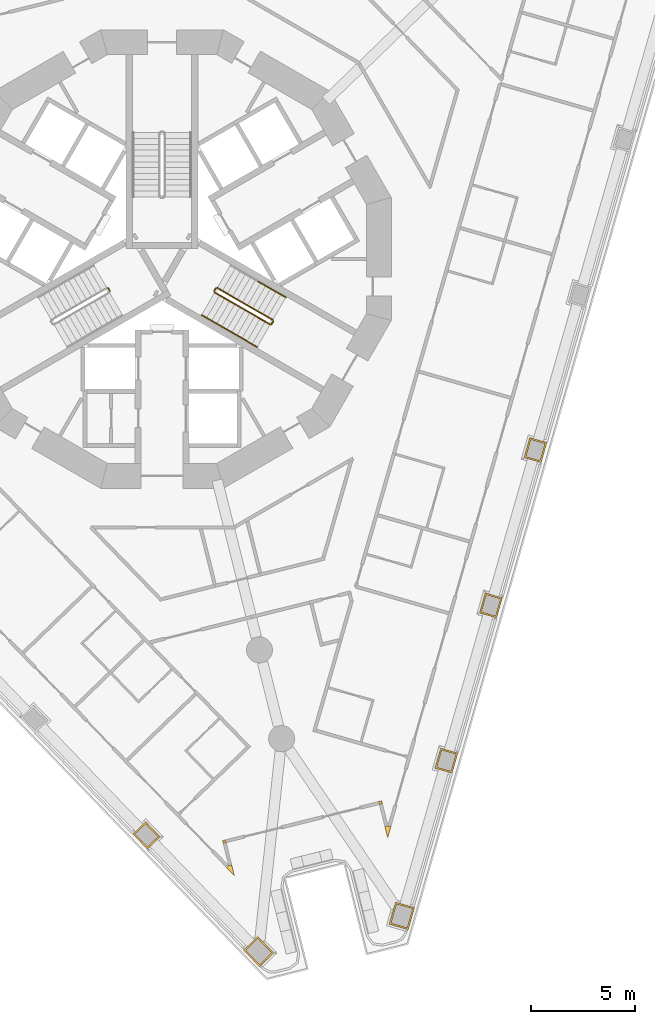
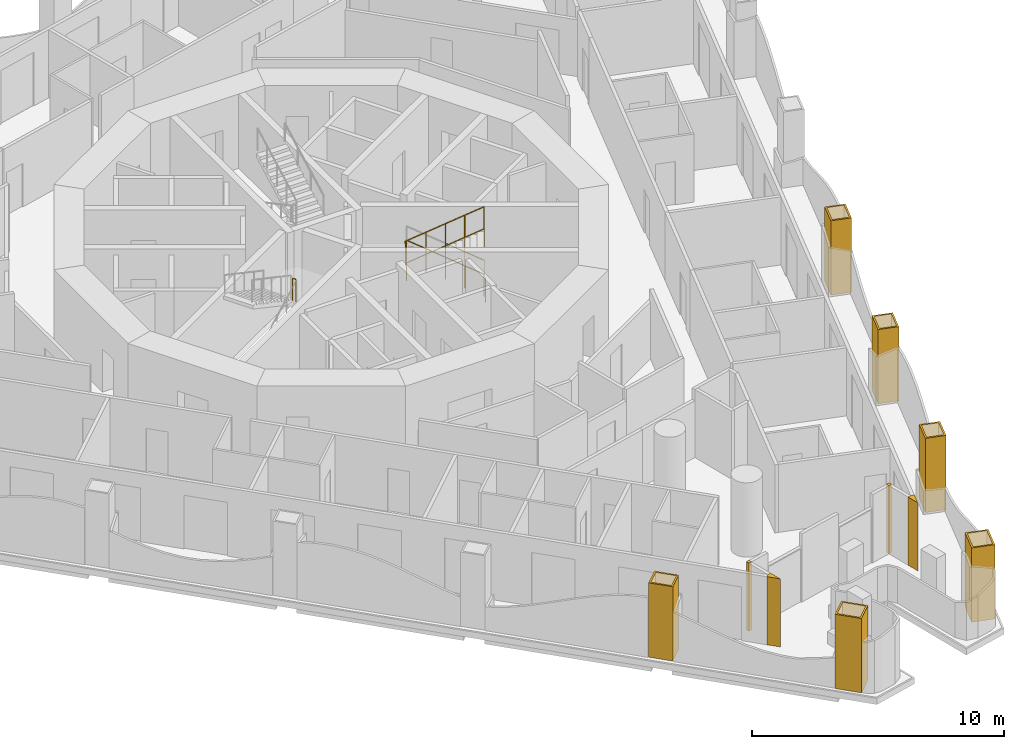
# One storey, part 13 of 18: 10 coverings, 8 railings.
"""IFC4 building model written with IfcOpenShell, lengths in metres."""

from ifc_helpers import new_model, si_unit, direction, frame, origin, origin_2d, place, context, subcontext, project, spatial, polyline, circle, outline, extrude, material, layer, layer_set, type_object, element, save


model = new_model("IFC4")

# Units and contexts
model_context = context("Model", 3, precision=1e-05, world=origin(), true_north=direction((0.0, 1.0)))
body_context = subcontext(model_context, "Body", "Model", "MODEL_VIEW")
ifc_project = project(units=[si_unit("LENGTHUNIT", "METRE"), si_unit("AREAUNIT", "SQUARE_METRE"), si_unit("VOLUMEUNIT", "CUBIC_METRE"), si_unit("PLANEANGLEUNIT", "RADIAN"), si_unit("MASSUNIT", "GRAM", prefix="KILO")], contexts=[model_context])

# Site, building, storey
site_placement = place(None, origin())
site = spatial("IfcSite", under=ifc_project, at=site_placement, CompositionType="ELEMENT")
building_placement = place(site_placement, origin())
building = spatial("IfcBuilding", under=site, at=building_placement, Name="Trine Commons Tower", CompositionType="ELEMENT")
storey_placement = place(building_placement, frame((0.0, 0.0, 94.5)))
storey = spatial("IfcBuildingStorey", under=building, at=storey_placement, Name="L23", CompositionType="ELEMENT", Elevation=94.5)

# Coverings
ifc_material_1 = material(Name="Aluminium-framed insulated wall panel", Category="aluminium")
ifc_layer_1 = layer(ifc_material_1, 0.14990234375)
ifc_layer_set_1 = layer_set([ifc_layer_1], Name="Aluminium-framed insulated wall panel")
covering_type_1 = type_object("IfcCoveringType", Name="Glazing corner post, aluminium", PredefinedType="CLADDING", material=ifc_layer_set_1)
covering_1_placement = place(storey_placement, origin())
element("IfcCovering", 1, at=covering_1_placement, inside=storey, type_object=covering_type_1, Name="Glazing corner post 3-09", PredefinedType="CLADDING", context=body_context, shape_type="SweptSolid", body=[
    extrude(outline(polyline([(90.701416015625, 35.24560546875), (90.836669921875, 34.70263671875), (90.990966796875, 35.24072265625), (90.8466796875, 35.281982421875), (90.701416015625, 35.24560546875)])), origin(), (0.0, 0.0, 1.0), 3.300048828125),
])
covering_2_placement = place(storey_placement, origin())
element("IfcCovering", 2, at=covering_2_placement, inside=storey, type_object=covering_type_1, Name="Glazing corner post 3-10", PredefinedType="CLADDING", context=body_context, shape_type="SweptSolid", body=[
    extrude(outline(polyline([(90.40234375, 36.44482421875), (90.438720703125, 36.29931640625), (90.584228515625, 36.33544921875), (90.5478515625, 36.481201171875), (90.40234375, 36.44482421875)])), origin(), (0.0, 0.0, 1.0), 3.300048828125),
])
covering_3_placement = place(storey_placement, origin())
element("IfcCovering", 3, at=covering_3_placement, inside=storey, type_object=covering_type_1, Name="Glazing corner post 3-11", PredefinedType="CLADDING", context=body_context, shape_type="SweptSolid", body=[
    extrude(outline(polyline([(82.938232421875, 34.42919921875), (83.083740234375, 34.465576171875), (83.047607421875, 34.611083984375), (82.90185546875, 34.57470703125), (82.938232421875, 34.42919921875)])), origin(), (0.0, 0.0, 1.0), 3.300048828125),
])
covering_4_placement = place(storey_placement, origin())
element("IfcCovering", 4, at=covering_4_placement, inside=storey, type_object=covering_type_1, Name="Glazing corner post 3-12", PredefinedType="CLADDING", context=body_context, shape_type="SweptSolid", body=[
    extrude(outline(polyline([(83.093017578125, 33.271484375), (83.48193359375, 32.868896484375), (83.346435546875, 33.412109375), (83.200927734375, 33.375732421875), (83.093017578125, 33.271484375)])), origin(), (0.0, 0.0, 1.0), 3.300048828125),
])
ifc_material_2 = material(Name="Limestone, honed", Category="masonry")
ifc_layer_2 = layer(ifc_material_2, 0.074951171875)
ifc_layer_set_2 = layer_set([ifc_layer_2], Name="Limestone, honed")
covering_type_2 = type_object("IfcCoveringType", Name="Limestone column cladding 75", PredefinedType="CLADDING", material=ifc_layer_set_2)
covering_5_placement = place(storey_placement, origin())
element("IfcCovering", 5, at=covering_5_placement, inside=storey, type_object=covering_type_2, Name="Limestone pier cladding 3-01", PredefinedType="CLADDING", context=body_context, shape_type="SweptSolid", body=[
    extrude(outline(polyline([(84.600341796875, 29.961669921875), (83.9169921875, 29.3017578125), (84.68115234375, 28.510498046875), (85.364501953125, 29.17041015625), (84.600341796875, 29.961669921875)]), holes=[polyline([(84.598388671875, 29.85546875), (84.02294921875, 29.2998046875), (84.682861328125, 28.616455078125), (85.25830078125, 29.172119140625), (84.598388671875, 29.85546875)])]), origin(), (0.0, 0.0, 1.0), 3.60009765625),
])
covering_6_placement = place(storey_placement, origin())
element("IfcCovering", 6, at=covering_6_placement, inside=storey, type_object=covering_type_2, Name="Limestone pier cladding 3-02", PredefinedType="CLADDING", context=body_context, shape_type="SweptSolid", body=[
    extrude(outline(polyline([(79.210205078125, 35.47119140625), (78.5986328125, 34.880859375), (79.293212890625, 34.16162109375), (79.90478515625, 34.751953125), (79.210205078125, 35.47119140625)]), holes=[polyline([(79.208251953125, 35.365234375), (78.70458984375, 34.87890625), (79.295166015625, 34.267578125), (79.798583984375, 34.75390625), (79.208251953125, 35.365234375)])]), origin(), (0.0, 0.0, 1.0), 3.60009765625),
])
covering_7_placement = place(storey_placement, origin())
element("IfcCovering", 7, at=covering_7_placement, inside=storey, type_object=covering_type_2, Name="Limestone pier cladding 3-21", PredefinedType="CLADDING", context=body_context, shape_type="SweptSolid", body=[
    extrude(outline(polyline([(98.48046875, 53.685791015625), (97.663330078125, 53.920166015625), (97.3876953125, 52.958984375), (98.20458984375, 52.724609375), (98.48046875, 53.685791015625)]), holes=[polyline([(98.3876953125, 53.634521484375), (97.714599609375, 53.827392578125), (97.48046875, 53.01025390625), (98.1533203125, 52.8173828125), (98.3876953125, 53.634521484375)])]), origin(), (0.0, 0.0, 1.0), 3.60009765625),
])
covering_8_placement = place(storey_placement, origin())
element("IfcCovering", 8, at=covering_8_placement, inside=storey, type_object=covering_type_2, Name="Limestone pier cladding 3-22", PredefinedType="CLADDING", context=body_context, shape_type="SweptSolid", body=[
    extrude(outline(polyline([(96.342041015625, 46.228759765625), (95.52490234375, 46.462890625), (95.249267578125, 45.501708984375), (96.06640625, 45.267333984375), (96.342041015625, 46.228759765625)]), holes=[polyline([(96.249267578125, 46.17724609375), (95.576416015625, 46.3701171875), (95.342041015625, 45.552978515625), (96.014892578125, 45.360107421875), (96.249267578125, 46.17724609375)])]), origin(), (0.0, 0.0, 1.0), 3.60009765625),
])
covering_9_placement = place(storey_placement, origin())
element("IfcCovering", 9, at=covering_9_placement, inside=storey, type_object=covering_type_2, Name="Limestone pier cladding 3-23", PredefinedType="CLADDING", context=body_context, shape_type="SweptSolid", body=[
    extrude(outline(polyline([(94.203857421875, 38.771484375), (93.38671875, 39.005859375), (93.111083984375, 38.044677734375), (93.927978515625, 37.810302734375), (94.203857421875, 38.771484375)]), holes=[polyline([(94.111083984375, 38.72021484375), (93.43798828125, 38.9130859375), (93.203857421875, 38.095947265625), (93.876708984375, 37.903076171875), (94.111083984375, 38.72021484375)])]), origin(), (0.0, 0.0, 1.0), 3.60009765625),
])
covering_10_placement = place(storey_placement, origin())
element("IfcCovering", 10, at=covering_10_placement, inside=storey, type_object=covering_type_2, Name="Limestone pier cladding 3-24", PredefinedType="CLADDING", context=body_context, shape_type="SweptSolid", body=[
    extrude(outline(polyline([(92.127197265625, 31.348876953125), (91.214111328125, 31.610595703125), (90.910888671875, 30.55322265625), (91.82421875, 30.29150390625), (92.127197265625, 31.348876953125)]), holes=[polyline([(92.034423828125, 31.29736328125), (91.265380859375, 31.517822265625), (91.003662109375, 30.604736328125), (91.772705078125, 30.384033203125), (92.034423828125, 31.29736328125)])]), origin(), (0.0, 0.0, 1.0), 3.60009765625),
])

# Railings
ifc_material_3 = material(Name="Stainless steel balustrade", Category="steel")
railing_type_1 = type_object("IfcRailingType", Name="Stair guard, steel balustrade 1100", PredefinedType="GUARDRAIL", material=ifc_material_3)
railing_1_placement = place(storey_placement, frame((77.490966796875, 60.96484375, 1.800048828125)))
element("IfcRailing", 11, at=railing_1_placement, inside=storey, type_object=railing_type_1, Name="L23 ST2A stair guard 2", PredefinedType="GUARDRAIL", context=body_context, shape_type="SweptSolid", body=[
    extrude(circle(Radius=0.02392578125, at=origin_2d()), frame((0.0, 0.0, 1.076171875), z_axis=(-0.501036270542, 0.865426285481, 0.0), x_axis=(-0.865426285481, -0.501036270542, 0.0)), (0.0, 0.0, 1.0), 0.150146484375),
    extrude(circle(Radius=0.02099609375, at=origin_2d()), origin(), (0.0, 0.0, 1.0), 1.052001953125),
    extrude(circle(Radius=0.02099609375, at=origin_2d()), frame((-0.0751953125, 0.1298828125, 0.0)), (0.0, 0.0, 1.0), 1.052001953125),
])
railing_2_placement = place(storey_placement, frame((85.31982421875, 59.572998046875, 0.14990234375)))
element("IfcRailing", 12, at=railing_2_placement, inside=storey, type_object=railing_type_1, Name="L23 ST3A stair guard 1", PredefinedType="GUARDRAIL", context=body_context, shape_type="SweptSolid", body=[
    extrude(circle(Radius=0.02392578125, at=origin_2d()), frame((0.0, 0.0, 1.076171875), z_axis=(-0.763379768245, 0.440728498818, 0.472239049384), x_axis=(-0.499992328818, -0.866029832698, 0.0)), (0.0, 0.0, 1.0), 3.494384765625),
    extrude(circle(Radius=0.02099609375, at=origin_2d()), origin(), (0.0, 0.0, 1.0), 1.052001953125),
    extrude(circle(Radius=0.02099609375, at=origin_2d()), frame((-0.6669921875, 0.385009765625, 0.41259765625)), (0.0, 0.0, 1.0), 1.052001953125),
    extrude(circle(Radius=0.02099609375, at=origin_2d()), frame((-1.333740234375, 0.77001953125, 0.8251953125)), (0.0, 0.0, 1.0), 1.052001953125),
    extrude(circle(Radius=0.02099609375, at=origin_2d()), frame((-2.00048828125, 1.155029296875, 1.237548828125)), (0.0, 0.0, 1.0), 1.052001953125),
    extrude(circle(Radius=0.02099609375, at=origin_2d()), frame((-2.66748046875, 1.5400390625, 1.650146484375)), (0.0, 0.0, 1.0), 1.052001953125),
])
railing_3_placement = place(storey_placement, frame((82.584228515625, 61.0947265625, 1.800048828125)))
element("IfcRailing", 13, at=railing_3_placement, inside=storey, type_object=railing_type_1, Name="L23 ST3A stair guard 2", PredefinedType="GUARDRAIL", context=body_context, shape_type="SweptSolid", body=[
    extrude(circle(Radius=0.02392578125, at=origin_2d()), frame((0.0, 0.0, 1.076171875), z_axis=(-0.501036270542, -0.865426285481, 0.0), x_axis=(0.865426285481, -0.501036270542, 0.0)), (0.0, 0.0, 1.0), 0.150146484375),
    extrude(circle(Radius=0.02099609375, at=origin_2d()), origin(), (0.0, 0.0, 1.0), 1.052001953125),
    extrude(circle(Radius=0.02099609375, at=origin_2d()), frame((-0.0751953125, -0.1298828125, 0.0)), (0.0, 0.0, 1.0), 1.052001953125),
])
railing_4_placement = place(storey_placement, frame((82.52734375, 60.896484375, 1.949951171875)))
element("IfcRailing", 14, at=railing_4_placement, inside=storey, type_object=railing_type_1, Name="L23 ST3A stair guard 3", PredefinedType="GUARDRAIL", context=body_context, shape_type="SweptSolid", body=[
    extrude(circle(Radius=0.02392578125, at=origin_2d()), frame((0.0, 0.0, 1.076171875), z_axis=(0.763379768245, -0.440728498818, 0.472239049384), x_axis=(0.499992328818, 0.866029832698, 0.0)), (0.0, 0.0, 1.0), 3.494384765625),
    extrude(circle(Radius=0.02099609375, at=origin_2d()), origin(), (0.0, 0.0, 1.0), 1.052001953125),
    extrude(circle(Radius=0.02099609375, at=origin_2d()), frame((0.6669921875, -0.385009765625, 0.41259765625)), (0.0, 0.0, 1.0), 1.052001953125),
    extrude(circle(Radius=0.02099609375, at=origin_2d()), frame((1.333740234375, -0.77001953125, 0.8251953125)), (0.0, 0.0, 1.0), 1.052001953125),
    extrude(circle(Radius=0.02099609375, at=origin_2d()), frame((2.00048828125, -1.155029296875, 1.237548828125)), (0.0, 0.0, 1.0), 1.052001953125),
    extrude(circle(Radius=0.02099609375, at=origin_2d()), frame((2.66748046875, -1.5400390625, 1.650146484375)), (0.0, 0.0, 1.0), 1.052001953125),
])
railing_5_placement = place(storey_placement, frame((85.338134765625, 59.504638671875, 0.0)))
element("IfcRailing", 15, at=railing_5_placement, inside=storey, type_object=railing_type_1, Name="L23 ST3A stair guard 4", PredefinedType="GUARDRAIL", context=body_context, shape_type="SweptSolid", body=[
    extrude(circle(Radius=0.02392578125, at=origin_2d()), frame((0.0, 0.0, 1.076171875), z_axis=(-0.499816412211, -0.866131372301, 0.0), x_axis=(0.866131372301, -0.499816412211, 0.0)), (0.0, 0.0, 1.0), 0.14990234375),
    extrude(circle(Radius=0.02099609375, at=origin_2d()), origin(), (0.0, 0.0, 1.0), 1.052001953125),
    extrude(circle(Radius=0.02099609375, at=origin_2d()), frame((-0.074951171875, -0.1298828125, 0.0)), (0.0, 0.0, 1.0), 1.052001953125),
])
ifc_material_4 = material(Name="Stainless steel handrail", Category="steel")
railing_type_2 = type_object("IfcRailingType", Name="Stair handrail, steel 900", PredefinedType="HANDRAIL", material=ifc_material_4)
railing_6_placement = place(storey_placement, frame((85.94482421875, 60.655517578125, 0.14990234375)))
element("IfcRailing", 16, at=railing_6_placement, inside=storey, type_object=railing_type_2, Name="L23 ST3A stair handrail 1", PredefinedType="HANDRAIL", context=body_context, shape_type="SweptSolid", body=[
    extrude(circle(Radius=0.02099609375, at=origin_2d()), frame((0.0, 0.0, 0.87890625), z_axis=(-0.763354580307, 0.440713956853, 0.472293333596), x_axis=(-0.499992328818, -0.866029832698, 0.0)), (0.0, 0.0, 1.0), 1.747314453125),
    extrude(circle(Radius=0.01513671875, at=origin_2d()), origin(), (0.0, 0.0, 1.0), 0.85791015625),
    extrude(circle(Radius=0.01513671875, at=origin_2d()), frame((-0.6669921875, 0.385009765625, 0.41259765625)), (0.0, 0.0, 1.0), 0.85791015625),
    extrude(circle(Radius=0.01513671875, at=origin_2d()), frame((-1.333740234375, 0.77001953125, 0.8251953125)), (0.0, 0.0, 1.0), 0.85791015625),
])
railing_7_placement = place(storey_placement, frame((81.90234375, 59.81396484375, 1.949951171875)))
element("IfcRailing", 17, at=railing_7_placement, inside=storey, type_object=railing_type_2, Name="L23 ST3A stair handrail 3", PredefinedType="HANDRAIL", context=body_context, shape_type="SweptSolid", body=[
    extrude(circle(Radius=0.02099609375, at=origin_2d()), frame((0.0, 0.0, 0.87890625), z_axis=(0.76340495495, -0.440743040072, 0.472184759798), x_axis=(0.499992328818, 0.866029832698, 0.0)), (0.0, 0.0, 1.0), 1.7470703125),
    extrude(circle(Radius=0.01513671875, at=origin_2d()), origin(), (0.0, 0.0, 1.0), 0.85791015625),
    extrude(circle(Radius=0.01513671875, at=origin_2d()), frame((0.6669921875, -0.385009765625, 0.41259765625)), (0.0, 0.0, 1.0), 0.85791015625),
    extrude(circle(Radius=0.01513671875, at=origin_2d()), frame((1.333740234375, -0.77001953125, 0.824951171875)), (0.0, 0.0, 1.0), 0.85791015625),
])
railing_8_placement = place(storey_placement, frame((83.236083984375, 59.0439453125, 2.77490234375)))
element("IfcRailing", 18, at=railing_8_placement, inside=storey, type_object=railing_type_2, Name="L23 ST3A stair handrail 4", PredefinedType="HANDRAIL", context=body_context, shape_type="SweptSolid", body=[
    extrude(circle(Radius=0.02099609375, at=origin_2d()), frame((0.0, 0.0, 0.87890625), z_axis=(0.763354580307, -0.440713956853, 0.472293333596), x_axis=(0.499992328818, 0.866029832698, 0.0)), (0.0, 0.0, 1.0), 1.747314453125),
    extrude(circle(Radius=0.01513671875, at=origin_2d()), origin(), (0.0, 0.0, 1.0), 0.85791015625),
    extrude(circle(Radius=0.01513671875, at=origin_2d()), frame((0.6669921875, -0.385009765625, 0.41259765625)), (0.0, 0.0, 1.0), 0.85791015625),
    extrude(circle(Radius=0.01513671875, at=origin_2d()), frame((1.333740234375, -0.77001953125, 0.8251953125)), (0.0, 0.0, 1.0), 0.85791015625),
])

save(model, "model.ifc")
